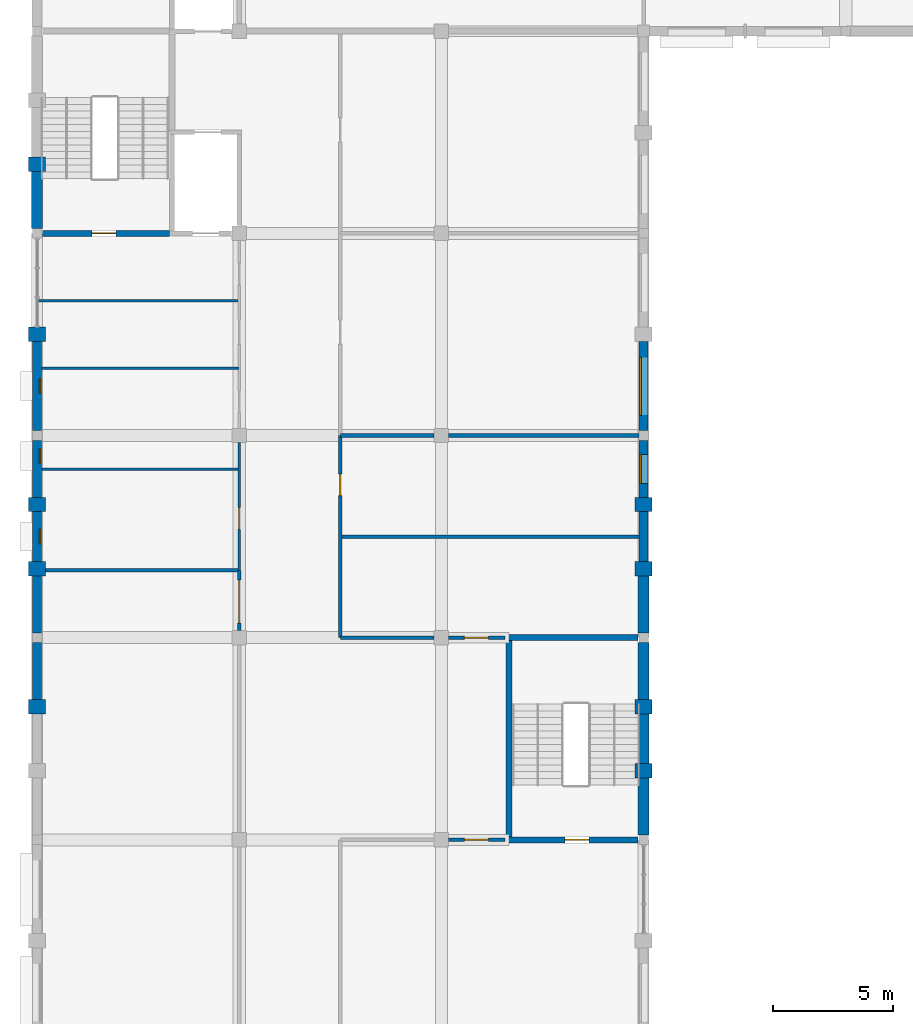
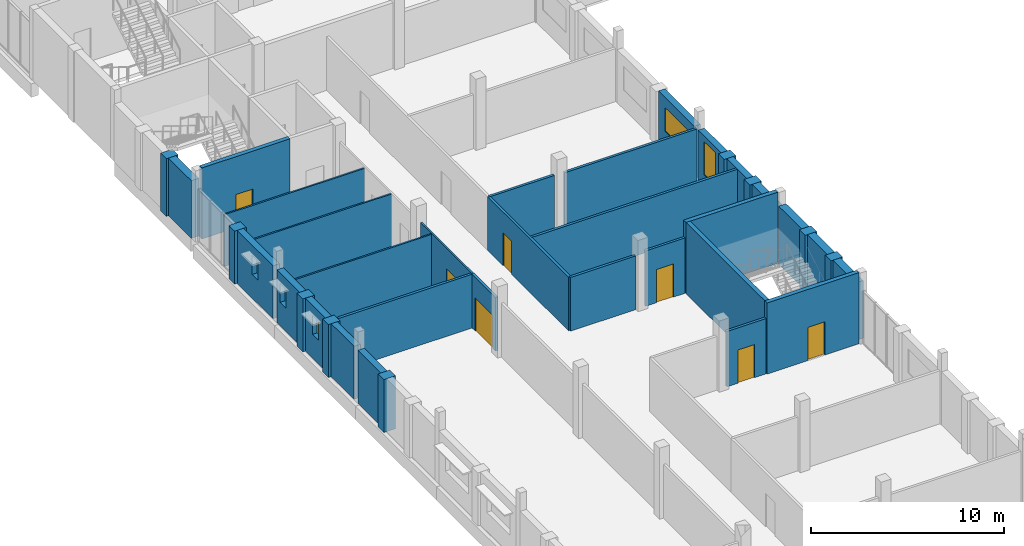
# One storey, part 95 of 116: 39 walls, 7 doors, 5 windows, 12 openings.
"""IFC4 building model written with IfcOpenShell, lengths in metres."""

from ifc_helpers import new_model, si_unit, direction, frame, frame_2d, origin, place, context, subcontext, project, spatial, rectangle, extrude, material, layer, layer_set, type_object, element, fill, save


model = new_model("IFC4")

# Units and contexts
model_context = context("Model", 3, precision=1e-05, world=origin(), true_north=direction((0.0, 1.0)))
body_context = subcontext(model_context, "Body", "Model", "MODEL_VIEW")
ifc_project = project(units=[si_unit("LENGTHUNIT", "METRE"), si_unit("AREAUNIT", "SQUARE_METRE"), si_unit("VOLUMEUNIT", "CUBIC_METRE"), si_unit("PLANEANGLEUNIT", "RADIAN"), si_unit("MASSUNIT", "GRAM", prefix="KILO")], contexts=[model_context])

# Site, building, storey
site_placement = place(None, origin())
site = spatial("IfcSite", under=ifc_project, at=site_placement, CompositionType="ELEMENT")
building_placement = place(site_placement, origin())
building = spatial("IfcBuilding", under=site, at=building_placement, Name="Fescue Hill Polytechnic", CompositionType="ELEMENT")
storey_placement = place(building_placement, frame((0.0, 0.0, 13.5)))
storey = spatial("IfcBuildingStorey", under=building, at=storey_placement, Name="L03", CompositionType="ELEMENT", Elevation=13.5)

# Wall, opening, door
ifc_material_1 = material(Name="Concrete 40 MPa", Category="concrete")
ifc_layer_1 = layer(ifc_material_1, 0.25)
ifc_layer_set_1 = layer_set([ifc_layer_1], Name="Concrete 40 MPa")
wall_type_1 = type_object("IfcWallType", Name="Core wall 250", PredefinedType="SHEAR", material=ifc_layer_set_1)
wall_1_placement = place(storey_placement, frame((0.22509765625, 100.800048828125, 0.0), z_axis=(0.0, 0.0, 1.0), x_axis=(1.0, 0.0, 0.0)))
wall_1 = element("IfcWall", 1, at=wall_1_placement, inside=storey, type_object=wall_type_1, Name="CW-L03-ST-V4-2-11", PredefinedType="SHEAR", context=body_context, shape_type="SweptSolid", body=[
    extrude(rectangle(XDim=5.27490234375, YDim=0.25, at=frame_2d((2.637451171875, 0.0))), origin(), (0.0, 0.0, 1.0), 4.5),
])
opening_1_placement = place(wall_1_placement, frame((2.050048828125, 0.0, 0.0)))
opening_1 = element("IfcOpeningElement", 2, at=opening_1_placement, cuts=wall_1, Name="Opening D3039", PredefinedType="OPENING", context=body_context, shape_type="SweptSolid", body=[
    extrude(rectangle(XDim=1.0, YDim=2.10009765625, at=frame_2d((0.5, 1.050048828125))), frame((0.0, 0.135009765625, 0.0), z_axis=(0.0, -1.0, 0.0), x_axis=(1.0, 0.0, 0.0)), (0.0, 0.0, 1.0), 0.27001953125),
])
ifc_material_2 = material(Name="Steel fire door", Category="steel")
door_type_1 = type_object("IfcDoorType", Name="Door single swing 1000x2100 stair fire rated", OperationType="NOTDEFINED", PredefinedType="DOOR", material=ifc_material_2)
door_1_placement = place(opening_1_placement, origin())
door_1 = element("IfcDoor", 3, at=door_1_placement, inside=storey, type_object=door_type_1, Name="L03 ST-V4-2 stair door", OperationType="SINGLE_SWING_LEFT", OverallHeight=2.10009765625, OverallWidth=1.0, PredefinedType="DOOR", context=body_context, shape_type="SweptSolid", body=[
    extrude(rectangle(XDim=1.0, YDim=2.10009765625, at=frame_2d((0.5, 1.050048828125))), frame((0.0, 0.02490234375, 0.0), z_axis=(0.0, -1.0, 0.0), x_axis=(1.0, 0.0, 0.0)), (0.0, 0.0, 1.0), 0.050048828125),
])
fill(opening_1, door_1)

wall_2_placement = place(storey_placement, frame((19.47509765625, 75.60009765625, 0.0), z_axis=(0.0, 0.0, 1.0), x_axis=(1.0, 0.0, 0.0)))
wall_2 = element("IfcWall", 4, at=wall_2_placement, inside=storey, type_object=wall_type_1, Name="CW-L03-ST-V4-3-11", PredefinedType="SHEAR", context=body_context, shape_type="SweptSolid", body=[
    extrude(rectangle(XDim=5.5, YDim=0.25, at=frame_2d((2.75, 0.0))), origin(), (0.0, 0.0, 1.0), 4.5),
])
opening_2_placement = place(wall_2_placement, frame((2.449951171875, 0.0, 0.0)))
opening_2 = element("IfcOpeningElement", 5, at=opening_2_placement, cuts=wall_2, Name="Opening D3040", PredefinedType="OPENING", context=body_context, shape_type="SweptSolid", body=[
    extrude(rectangle(XDim=1.0, YDim=2.10009765625, at=frame_2d((0.5, 1.050048828125))), frame((0.0, 0.135009765625, 0.0), z_axis=(0.0, -1.0, 0.0), x_axis=(1.0, 0.0, 0.0)), (0.0, 0.0, 1.0), 0.27001953125),
])
door_2_placement = place(opening_2_placement, origin())
door_2 = element("IfcDoor", 6, at=door_2_placement, inside=storey, type_object=door_type_1, Name="L03 ST-V4-3 stair door", OperationType="SINGLE_SWING_RIGHT", OverallHeight=2.10009765625, OverallWidth=1.0, PredefinedType="DOOR", context=body_context, shape_type="SweptSolid", body=[
    extrude(rectangle(XDim=1.0, YDim=2.10009765625, at=frame_2d((0.5, 1.050048828125))), frame((0.0, 0.02490234375, 0.0), z_axis=(0.0, -1.0, 0.0), x_axis=(1.0, 0.0, 0.0)), (0.0, 0.0, 1.0), 0.050048828125),
])
fill(opening_2, door_2)

# Walls
wall_3_placement = place(storey_placement, frame((19.47509765625, 84.0, 0.0), z_axis=(0.0, 0.0, 1.0), x_axis=(1.0, 0.0, 0.0)))
element("IfcWall", 7, at=wall_3_placement, inside=storey, type_object=wall_type_1, Name="CW-L03-ST-V4-3-21", PredefinedType="SHEAR", context=body_context, shape_type="SweptSolid", body=[
    extrude(rectangle(XDim=5.5, YDim=0.25, at=frame_2d((2.75, 0.0))), origin(), (0.0, 0.0, 1.0), 4.5),
])
wall_4_placement = place(storey_placement, frame((19.60009765625, 75.72509765625, 0.0), z_axis=(0.0, 0.0, 1.0), x_axis=(0.0, 1.0, 0.0)))
element("IfcWall", 8, at=wall_4_placement, inside=storey, type_object=wall_type_1, Name="CW-L03-ST-V4-3-31", PredefinedType="SHEAR", context=body_context, shape_type="SweptSolid", body=[
    extrude(rectangle(XDim=8.14990234375, YDim=0.25, at=frame_2d((4.074951171875, 0.0))), origin(), (0.0, 0.0, 1.0), 4.5),
])

# Wall, opening, door
ifc_material_3 = material(Name="Gypsum board partition")
ifc_layer_2 = layer(ifc_material_3, 0.14990234375)
ifc_layer_set_2 = layer_set([ifc_layer_2], Name="Gypsum board partition")
wall_type_2 = type_object("IfcWallType", Name="Corridor wall 150 EI 45", PredefinedType="PARTITIONING", material=ifc_layer_set_2)
wall_5_placement = place(storey_placement, frame((12.60009765625, 84.0, 0.0), z_axis=(0.0, 0.0, 1.0), x_axis=(0.0, 1.0, 0.0)))
wall_5 = element("IfcWall", 9, at=wall_5_placement, inside=storey, type_object=wall_type_2, Name="IW-L03-046", PredefinedType="PARTITIONING", context=body_context, shape_type="SweptSolid", body=[
    extrude(rectangle(XDim=8.39990234375, YDim=0.14990234375, at=frame_2d((4.199951171875, 0.0))), origin(), (0.0, 0.0, 1.0), 3.39990234375),
])
opening_3_placement = place(wall_5_placement, frame((5.89990234375, 0.0, 0.0)))
opening_3 = element("IfcOpeningElement", 10, at=opening_3_placement, cuts=wall_5, Name="Opening D3013", PredefinedType="OPENING", context=body_context, shape_type="SweptSolid", body=[
    extrude(rectangle(XDim=0.89990234375, YDim=2.10009765625, at=frame_2d((0.449951171875, 1.050048828125))), frame((0.0, 0.0849609375, 0.0), z_axis=(0.0, -1.0, 0.0), x_axis=(1.0, 0.0, 0.0)), (0.0, 0.0, 1.0), 0.169921875),
])
ifc_material_4 = material(Name="Timber", Category="wood")
door_type_2 = type_object("IfcDoorType", Name="Door single swing 900x2100 FD30S", OperationType="SINGLE_SWING_LEFT", PredefinedType="DOOR", material=ifc_material_4)
door_3_placement = place(opening_3_placement, origin())
door_3 = element("IfcDoor", 11, at=door_3_placement, inside=storey, type_object=door_type_2, Name="Door D3013", OperationType="SINGLE_SWING_RIGHT", OverallHeight=2.10009765625, OverallWidth=0.89990234375, PredefinedType="DOOR", context=body_context, shape_type="SweptSolid", body=[
    extrude(rectangle(XDim=0.89990234375, YDim=2.10009765625, at=frame_2d((0.449951171875, 1.050048828125))), frame((0.0, 0.02490234375, 0.0), z_axis=(0.0, -1.0, 0.0), x_axis=(1.0, 0.0, 0.0)), (0.0, 0.0, 1.0), 0.050048828125),
])
fill(opening_3, door_3)

# Walls
ifc_layer_3 = layer(ifc_material_1, 0.449951171875)
ifc_layer_set_3 = layer_set([ifc_layer_3], Name="Concrete 40 MPa")
wall_type_3 = type_object("IfcWallType", Name="Exterior wall board-marked concrete 450", PredefinedType="SOLIDWALL", material=ifc_layer_set_3)
wall_6_placement = place(storey_placement, frame((25.199951171875, 84.199951171875, 0.0), z_axis=(0.0, 0.0, 1.0), x_axis=(0.0, 1.0, 0.0)))
element("IfcWall", 12, at=wall_6_placement, inside=storey, type_object=wall_type_3, Name="EW-L03-V4-11", PredefinedType="SOLIDWALL", context=body_context, shape_type="SweptSolid", body=[
    extrude(rectangle(XDim=2.36669921875, YDim=0.449951171875, at=frame_2d((1.183349609375, 0.0))), origin(), (0.0, 0.0, 1.0), 3.35009765625),
])
ifc_layer_4 = layer(ifc_material_1, 0.449951171875)
ifc_layer_set_4 = layer_set([ifc_layer_4], Name="Concrete 40 MPa")
wall_type_4 = type_object("IfcWallType", Name="Exterior wall board-marked concrete 450 load-bearing", PredefinedType="SOLIDWALL", material=ifc_layer_set_4)
wall_7_placement = place(storey_placement, frame((25.199951171875, 75.800048828125, 0.0), z_axis=(0.0, 0.0, 1.0), x_axis=(0.0, 1.0, 0.0)))
element("IfcWall", 13, at=wall_7_placement, inside=storey, type_object=wall_type_4, Name="EW-L03-V4-8", PredefinedType="SOLIDWALL", context=body_context, shape_type="SweptSolid", body=[
    extrude(rectangle(XDim=2.36669921875, YDim=0.449951171875, at=frame_2d((1.183349609375, 0.0))), origin(), (0.0, 0.0, 1.0), 3.64990234375),
])
wall_8_placement = place(storey_placement, frame((25.199951171875, 78.7666015625, 0.0), z_axis=(0.0, 0.0, 1.0), x_axis=(0.0, 1.0, 0.0)))
element("IfcWall", 14, at=wall_8_placement, inside=storey, type_object=wall_type_4, Name="EW-L03-V4-9", PredefinedType="SOLIDWALL", context=body_context, shape_type="SweptSolid", body=[
    extrude(rectangle(XDim=2.066650390625, YDim=0.449951171875, at=frame_2d((1.033203125, 0.0))), origin(), (0.0, 0.0, 1.0), 3.64990234375),
])
for number, where, z_axis, x_axis, name in (
    (15, (25.199951171875, 81.433349609375, 0.0), (0.0, 0.0, 1.0), (0.0, 1.0, 0.0), "EW-L03-V4-10"),
    (16, (0.0, 103.36669921875, 0.0), (0.0, 0.0, 1.0), (0.0, -1.0, 0.0), "EW-L03-V4-20"),
):
    element("IfcWall", number, at=place(storey_placement, frame(where, z_axis=z_axis, x_axis=x_axis)), inside=storey, type_object=wall_type_4, Name=name, PredefinedType="SOLIDWALL", context=body_context, shape_type="SweptSolid", body=[
        extrude(rectangle(XDim=2.36669921875, YDim=0.449951171875, at=frame_2d((1.183349609375, 0.0))), origin(), (0.0, 0.0, 1.0), 3.64990234375),
    ])
ifc_material_5 = material(Name="Terracotta rainscreen on concrete block", Category="masonry")
ifc_layer_5 = layer(ifc_material_5, 0.3798828125)
ifc_layer_set_5 = layer_set([ifc_layer_5], Name="Terracotta rainscreen on concrete block")
wall_type_5 = type_object("IfcWallType", Name="Exterior wall rainscreen terracotta on blockwork 380", PredefinedType="SOLIDWALL", material=ifc_layer_set_5)
wall_9_placement = place(storey_placement, frame((25.199951171875, 87.166748046875, 0.0), z_axis=(0.0, 0.0, 1.0), x_axis=(0.0, 1.0, 0.0)))
element("IfcWall", 17, at=wall_9_placement, inside=storey, type_object=wall_type_5, Name="EW-L03-V4-12", PredefinedType="SOLIDWALL", context=body_context, shape_type="SweptSolid", body=[
    extrude(rectangle(XDim=2.066650390625, YDim=0.3798828125, at=frame_2d((1.033203125, 0.0))), origin(), (0.0, 0.0, 1.0), 3.35009765625),
])

# Wall, opening, window
wall_10_placement = place(storey_placement, frame((25.199951171875, 89.833251953125, 0.0), z_axis=(0.0, 0.0, 1.0), x_axis=(0.0, 1.0, 0.0)))
wall_10 = element("IfcWall", 18, at=wall_10_placement, inside=storey, type_object=wall_type_5, Name="EW-L03-V4-13", PredefinedType="SOLIDWALL", context=body_context, shape_type="SweptSolid", body=[
    extrude(rectangle(XDim=2.36669921875, YDim=0.3798828125, at=frame_2d((1.183349609375, 0.0))), origin(), (0.0, 0.0, 1.0), 3.35009765625),
])
opening_4_placement = place(wall_10_placement, frame((0.583251953125, 0.0, 0.89990234375)))
opening_4 = element("IfcOpeningElement", 19, at=opening_4_placement, cuts=wall_10, Name="Opening W13", PredefinedType="OPENING", context=body_context, shape_type="SweptSolid", body=[
    extrude(rectangle(XDim=1.199951171875, YDim=2.10009765625, at=frame_2d((0.60009765625, 1.050048828125))), frame((0.0, 0.199951171875, 0.0), z_axis=(0.0, -1.0, 0.0), x_axis=(1.0, 0.0, 0.0)), (0.0, 0.0, 1.0), 0.39990234375),
])
ifc_material_6 = material(Name="Powder-coated aluminium and glass", Category="aluminium")
window_type_1 = type_object("IfcWindowType", Name="Window cellular office 1200x2100", PartitioningType="SINGLE_PANEL", PredefinedType="WINDOW", material=ifc_material_6)
window_1_placement = place(opening_4_placement, origin())
window_1 = element("IfcWindow", 20, at=window_1_placement, inside=storey, type_object=window_type_1, Name="WN-L03-V4-4", OverallHeight=2.10009765625, OverallWidth=1.199951171875, PartitioningType="SINGLE_PANEL", PredefinedType="WINDOW", context=body_context, shape_type="SweptSolid", body=[
    extrude(rectangle(XDim=1.199951171875, YDim=2.10009765625, at=frame_2d((0.60009765625, 1.050048828125))), frame((0.0, 0.150146484375, 0.0), z_axis=(0.0, -1.0, 0.0), x_axis=(1.0, 0.0, 0.0)), (0.0, 0.0, 1.0), 0.06005859375),
])
fill(opening_4, window_1)

wall_11_placement = place(storey_placement, frame((25.199951171875, 92.60009765625, 0.0), z_axis=(0.0, 0.0, 1.0), x_axis=(0.0, 1.0, 0.0)))
wall_11 = element("IfcWall", 21, at=wall_11_placement, inside=storey, type_object=wall_type_5, Name="EW-L03-V4-14", PredefinedType="SOLIDWALL", context=body_context, shape_type="SweptSolid", body=[
    extrude(rectangle(XDim=3.699951171875, YDim=0.3798828125, at=frame_2d((1.85009765625, 0.0))), origin(), (0.0, 0.0, 1.0), 3.35009765625),
])
opening_5_placement = place(wall_11_placement, frame((0.64990234375, 0.0, 1.199951171875)))
opening_5 = element("IfcOpeningElement", 22, at=opening_5_placement, cuts=wall_11, Name="Opening W3", PredefinedType="OPENING", context=body_context, shape_type="SweptSolid", body=[
    extrude(rectangle(XDim=2.39990234375, YDim=1.5, at=frame_2d((1.199951171875, 0.75))), frame((0.0, 0.199951171875, 0.0), z_axis=(0.0, -1.0, 0.0), x_axis=(1.0, 0.0, 0.0)), (0.0, 0.0, 1.0), 0.39990234375),
])
window_type_2 = type_object("IfcWindowType", Name="Window laboratory strip 2400x1500", PartitioningType="TRIPLE_PANEL_VERTICAL", PredefinedType="WINDOW", material=ifc_material_6)
window_2_placement = place(opening_5_placement, origin())
window_2 = element("IfcWindow", 23, at=window_2_placement, inside=storey, type_object=window_type_2, Name="WN-L03-V4-5", OverallHeight=1.5, OverallWidth=2.39990234375, PartitioningType="SINGLE_PANEL", PredefinedType="WINDOW", context=body_context, shape_type="SweptSolid", body=[
    extrude(rectangle(XDim=2.39990234375, YDim=1.5, at=frame_2d((1.199951171875, 0.75))), frame((0.0, 0.150146484375, 0.0), z_axis=(0.0, -1.0, 0.0), x_axis=(1.0, 0.0, 0.0)), (0.0, 0.0, 1.0), 0.06005859375),
])
fill(opening_5, window_2)

wall_12_placement = place(storey_placement, frame((0.0, 96.300048828125, 0.0), z_axis=(0.0, 0.0, 1.0), x_axis=(0.0, -1.0, 0.0)))
wall_12 = element("IfcWall", 24, at=wall_12_placement, inside=storey, type_object=wall_type_5, Name="EW-L03-V4-22", PredefinedType="SOLIDWALL", context=body_context, shape_type="SweptSolid", body=[
    extrude(rectangle(XDim=3.699951171875, YDim=0.3798828125, at=frame_2d((1.85009765625, 0.0))), origin(), (0.0, 0.0, 1.0), 3.35009765625),
])
opening_6_placement = place(wall_12_placement, frame((1.550048828125, 0.0, 1.5)))
opening_6 = element("IfcOpeningElement", 25, at=opening_6_placement, cuts=wall_12, Name="Opening W11", PredefinedType="OPENING", context=body_context, shape_type="SweptSolid", body=[
    extrude(rectangle(XDim=0.60009765625, YDim=1.199951171875, at=frame_2d((0.300048828125, 0.60009765625))), frame((0.0, 0.199951171875, 0.0), z_axis=(0.0, -1.0, 0.0), x_axis=(1.0, 0.0, 0.0)), (0.0, 0.0, 1.0), 0.39990234375),
])
window_type_3 = type_object("IfcWindowType", Name="Window WC high-level 600x1200", PartitioningType="SINGLE_PANEL", PredefinedType="WINDOW", material=ifc_material_6)
window_3_placement = place(opening_6_placement, origin())
window_3 = element("IfcWindow", 26, at=window_3_placement, inside=storey, type_object=window_type_3, Name="WN-L03-V4-9", OverallHeight=1.199951171875, OverallWidth=0.60009765625, PartitioningType="SINGLE_PANEL", PredefinedType="WINDOW", context=body_context, shape_type="SweptSolid", body=[
    extrude(rectangle(XDim=0.60009765625, YDim=1.199951171875, at=frame_2d((0.300048828125, 0.60009765625))), frame((0.0, 0.150146484375, 0.0), z_axis=(0.0, -1.0, 0.0), x_axis=(1.0, 0.0, 0.0)), (0.0, 0.0, 1.0), 0.06005859375),
])
fill(opening_6, window_3)

wall_13_placement = place(storey_placement, frame((0.0, 92.199951171875, 0.0), z_axis=(0.0, 0.0, 1.0), x_axis=(0.0, -1.0, 0.0)))
wall_13 = element("IfcWall", 27, at=wall_13_placement, inside=storey, type_object=wall_type_5, Name="EW-L03-V4-23", PredefinedType="SOLIDWALL", context=body_context, shape_type="SweptSolid", body=[
    extrude(rectangle(XDim=2.36669921875, YDim=0.3798828125, at=frame_2d((1.183349609375, 0.0))), origin(), (0.0, 0.0, 1.0), 3.35009765625),
])
opening_7_placement = place(wall_13_placement, frame((0.35009765625, 0.0, 1.5)))
opening_7 = element("IfcOpeningElement", 28, at=opening_7_placement, cuts=wall_13, Name="Opening W11", PredefinedType="OPENING", context=body_context, shape_type="SweptSolid", body=[
    extrude(rectangle(XDim=0.60009765625, YDim=1.199951171875, at=frame_2d((0.300048828125, 0.60009765625))), frame((0.0, 0.199951171875, 0.0), z_axis=(0.0, -1.0, 0.0), x_axis=(1.0, 0.0, 0.0)), (0.0, 0.0, 1.0), 0.39990234375),
])
window_4_placement = place(opening_7_placement, origin())
window_4 = element("IfcWindow", 29, at=window_4_placement, inside=storey, type_object=window_type_3, Name="WN-L03-V4-10", OverallHeight=1.199951171875, OverallWidth=0.60009765625, PartitioningType="SINGLE_PANEL", PredefinedType="WINDOW", context=body_context, shape_type="SweptSolid", body=[
    extrude(rectangle(XDim=0.60009765625, YDim=1.199951171875, at=frame_2d((0.300048828125, 0.60009765625))), frame((0.0, 0.150146484375, 0.0), z_axis=(0.0, -1.0, 0.0), x_axis=(1.0, 0.0, 0.0)), (0.0, 0.0, 1.0), 0.06005859375),
])
fill(opening_7, window_4)

wall_14_placement = place(storey_placement, frame((0.0, 89.2333984375, 0.0), z_axis=(0.0, 0.0, 1.0), x_axis=(0.0, -1.0, 0.0)))
wall_14 = element("IfcWall", 30, at=wall_14_placement, inside=storey, type_object=wall_type_5, Name="EW-L03-V4-24", PredefinedType="SOLIDWALL", context=body_context, shape_type="SweptSolid", body=[
    extrude(rectangle(XDim=2.066650390625, YDim=0.3798828125, at=frame_2d((1.033203125, 0.0))), origin(), (0.0, 0.0, 1.0), 3.35009765625),
])
opening_8_placement = place(wall_14_placement, frame((0.7333984375, 0.0, 1.5)))
opening_8 = element("IfcOpeningElement", 31, at=opening_8_placement, cuts=wall_14, Name="Opening W11", PredefinedType="OPENING", context=body_context, shape_type="SweptSolid", body=[
    extrude(rectangle(XDim=0.60009765625, YDim=1.199951171875, at=frame_2d((0.300048828125, 0.60009765625))), frame((0.0, 0.199951171875, 0.0), z_axis=(0.0, -1.0, 0.0), x_axis=(1.0, 0.0, 0.0)), (0.0, 0.0, 1.0), 0.39990234375),
])
window_5_placement = place(opening_8_placement, origin())
window_5 = element("IfcWindow", 32, at=window_5_placement, inside=storey, type_object=window_type_3, Name="WN-L03-V4-11", OverallHeight=1.199951171875, OverallWidth=0.60009765625, PartitioningType="SINGLE_PANEL", PredefinedType="WINDOW", context=body_context, shape_type="SweptSolid", body=[
    extrude(rectangle(XDim=0.60009765625, YDim=1.199951171875, at=frame_2d((0.300048828125, 0.60009765625))), frame((0.0, 0.150146484375, 0.0), z_axis=(0.0, -1.0, 0.0), x_axis=(1.0, 0.0, 0.0)), (0.0, 0.0, 1.0), 0.06005859375),
])
fill(opening_8, window_5)

# Walls
for number, where, z_axis, x_axis, name in (
    (33, (0.0, 86.566650390625, 0.0), (0.0, 0.0, 1.0), (0.0, -1.0, 0.0), "EW-L03-V4-25"),
    (34, (0.0, 83.800048828125, 0.0), (0.0, 0.0, 1.0), (0.0, -1.0, 0.0), "EW-L03-V4-26"),
):
    element("IfcWall", number, at=place(storey_placement, frame(where, z_axis=z_axis, x_axis=x_axis)), inside=storey, type_object=wall_type_5, Name=name, PredefinedType="SOLIDWALL", context=body_context, shape_type="SweptSolid", body=[
        extrude(rectangle(XDim=2.36669921875, YDim=0.3798828125, at=frame_2d((1.183349609375, 0.0))), origin(), (0.0, 0.0, 1.0), 3.35009765625),
    ])
ifc_layer_6 = layer(ifc_material_1, 0.699951171875)
ifc_layer_set_6 = layer_set([ifc_layer_6], Name="Concrete 40 MPa")
wall_type_6 = type_object("IfcWallType", Name="Fin wall board-marked 600x700", PredefinedType="SOLIDWALL", material=ifc_layer_set_6)
wall_15_placement = place(storey_placement, frame((25.199951171875, 78.166748046875, 0.0), z_axis=(0.0, 0.0, 1.0), x_axis=(0.0, 1.0, 0.0)))
element("IfcWall", 35, at=wall_15_placement, inside=storey, type_object=wall_type_6, Name="PR-L03-V4-5", PredefinedType="SOLIDWALL", context=body_context, shape_type="SweptSolid", body=[
    extrude(rectangle(XDim=0.599853515625, YDim=0.699951171875, at=frame_2d((0.2998046875, 0.0))), origin(), (0.0, 0.0, 1.0), 3.64990234375),
])
wall_16_placement = place(storey_placement, frame((25.199951171875, 80.833251953125, 0.0), z_axis=(0.0, 0.0, 1.0), x_axis=(0.0, 1.0, 0.0)))
element("IfcWall", 36, at=wall_16_placement, inside=storey, type_object=wall_type_6, Name="PR-L03-V4-6", PredefinedType="SOLIDWALL", context=body_context, shape_type="SweptSolid", body=[
    extrude(rectangle(XDim=0.60009765625, YDim=0.699951171875, at=frame_2d((0.300048828125, 0.0))), origin(), (0.0, 0.0, 1.0), 3.64990234375),
])
wall_17_placement = place(storey_placement, frame((25.199951171875, 86.566650390625, 0.0), z_axis=(0.0, 0.0, 1.0), x_axis=(0.0, 1.0, 0.0)))
element("IfcWall", 37, at=wall_17_placement, inside=storey, type_object=wall_type_6, Name="PR-L03-V4-7", PredefinedType="SOLIDWALL", context=body_context, shape_type="SweptSolid", body=[
    extrude(rectangle(XDim=0.60009765625, YDim=0.699951171875, at=frame_2d((0.300048828125, 0.0))), origin(), (0.0, 0.0, 1.0), 3.35009765625),
])
wall_18_placement = place(storey_placement, frame((25.199951171875, 89.2333984375, 0.0), z_axis=(0.0, 0.0, 1.0), x_axis=(0.0, 1.0, 0.0)))
element("IfcWall", 38, at=wall_18_placement, inside=storey, type_object=wall_type_6, Name="PR-L03-V4-8", PredefinedType="SOLIDWALL", context=body_context, shape_type="SweptSolid", body=[
    extrude(rectangle(XDim=0.599853515625, YDim=0.699951171875, at=frame_2d((0.2998046875, 0.0))), origin(), (0.0, 0.0, 1.0), 3.35009765625),
])
wall_19_placement = place(storey_placement, frame((0.0, 103.966796875, 0.0), z_axis=(0.0, 0.0, 1.0), x_axis=(0.0, -1.0, 0.0)))
element("IfcWall", 39, at=wall_19_placement, inside=storey, type_object=wall_type_6, Name="PR-L03-V4-12", PredefinedType="SOLIDWALL", context=body_context, shape_type="SweptSolid", body=[
    extrude(rectangle(XDim=0.60009765625, YDim=0.699951171875, at=frame_2d((0.300048828125, 0.0))), origin(), (0.0, 0.0, 1.0), 3.64990234375),
])
for number, where, z_axis, x_axis, name in (
    (40, (0.0, 96.89990234375, 0.0), (0.0, 0.0, 1.0), (0.0, -1.0, 0.0), "PR-L03-V4-13"),
    (41, (0.0, 89.833251953125, 0.0), (0.0, 0.0, 1.0), (0.0, -1.0, 0.0), "PR-L03-V4-14"),
):
    element("IfcWall", number, at=place(storey_placement, frame(where, z_axis=z_axis, x_axis=x_axis)), inside=storey, type_object=wall_type_6, Name=name, PredefinedType="SOLIDWALL", context=body_context, shape_type="SweptSolid", body=[
        extrude(rectangle(XDim=0.599853515625, YDim=0.699951171875, at=frame_2d((0.2998046875, 0.0))), origin(), (0.0, 0.0, 1.0), 3.35009765625),
    ])
for number, where, z_axis, x_axis, name in (
    (42, (0.0, 87.166748046875, 0.0), (0.0, 0.0, 1.0), (0.0, -1.0, 0.0), "PR-L03-V4-15"),
    (43, (0.0, 81.433349609375, 0.0), (0.0, 0.0, 1.0), (0.0, -1.0, 0.0), "PR-L03-V4-16"),
):
    element("IfcWall", number, at=place(storey_placement, frame(where, z_axis=z_axis, x_axis=x_axis)), inside=storey, type_object=wall_type_6, Name=name, PredefinedType="SOLIDWALL", context=body_context, shape_type="SweptSolid", body=[
        extrude(rectangle(XDim=0.60009765625, YDim=0.699951171875, at=frame_2d((0.300048828125, 0.0))), origin(), (0.0, 0.0, 1.0), 3.35009765625),
    ])
ifc_material_7 = material(Name="Concrete masonry block 15 MPa", Category="masonry")
ifc_layer_7 = layer(ifc_material_7, 0.14990234375)
ifc_layer_set_7 = layer_set([ifc_layer_7], Name="Concrete masonry block 15 MPa")
wall_type_7 = type_object("IfcWallType", Name="Laboratory wall 150 block EI 60", PredefinedType="PARTITIONING", material=ifc_layer_set_7)
wall_20_placement = place(storey_placement, frame((0.35009765625, 86.800048828125, 0.0), z_axis=(0.0, 0.0, 1.0), x_axis=(1.0, 0.0, 0.0)))
element("IfcWall", 44, at=wall_20_placement, inside=storey, type_object=wall_type_7, Name="IW-L03-010", PredefinedType="PARTITIONING", context=body_context, shape_type="SweptSolid", body=[
    extrude(rectangle(XDim=8.0498046875, YDim=0.14990234375, at=frame_2d((4.02490234375, 0.0))), origin(), (0.0, 0.0, 1.0), 3.39990234375),
])
wall_21_placement = place(storey_placement, frame((12.60009765625, 92.39990234375, 0.0), z_axis=(0.0, 0.0, 1.0), x_axis=(1.0, 0.0, 0.0)))
element("IfcWall", 45, at=wall_21_placement, inside=storey, type_object=wall_type_7, Name="IW-L03-013", PredefinedType="PARTITIONING", context=body_context, shape_type="SweptSolid", body=[
    extrude(rectangle(XDim=3.89990234375, YDim=0.14990234375, at=frame_2d((1.949951171875, 0.0))), origin(), (0.0, 0.0, 1.0), 3.39990234375),
])
wall_22_placement = place(storey_placement, frame((17.10009765625, 92.39990234375, 0.0), z_axis=(0.0, 0.0, 1.0), x_axis=(1.0, 0.0, 0.0)))
element("IfcWall", 46, at=wall_22_placement, inside=storey, type_object=wall_type_7, Name="IW-L03-014", PredefinedType="PARTITIONING", context=body_context, shape_type="SweptSolid", body=[
    extrude(rectangle(XDim=7.89990234375, YDim=0.14990234375, at=frame_2d((3.949951171875, 0.0))), origin(), (0.0, 0.0, 1.0), 3.35009765625),
])

# Wall, opening, door
wall_23_placement = place(storey_placement, frame((8.39990234375, 84.300048828125, 0.0), z_axis=(0.0, 0.0, 1.0), x_axis=(0.0, 1.0, 0.0)))
wall_23 = element("IfcWall", 47, at=wall_23_placement, inside=storey, type_object=wall_type_7, Name="IW-L03-040", PredefinedType="PARTITIONING", context=body_context, shape_type="SweptSolid", body=[
    extrude(rectangle(XDim=2.5, YDim=0.14990234375, at=frame_2d((1.25, 0.0))), origin(), (0.0, 0.0, 1.0), 3.39990234375),
])
opening_9_placement = place(wall_23_placement, frame((0.300048828125, 0.0, 0.0)))
opening_9 = element("IfcOpeningElement", 48, at=opening_9_placement, cuts=wall_23, Name="Opening D3004", PredefinedType="OPENING", context=body_context, shape_type="SweptSolid", body=[
    extrude(rectangle(XDim=1.800048828125, YDim=2.10009765625, at=frame_2d((0.89990234375, 1.050048828125))), frame((0.0, 0.0849609375, 0.0), z_axis=(0.0, -1.0, 0.0), x_axis=(1.0, 0.0, 0.0)), (0.0, 0.0, 1.0), 0.169921875),
])
ifc_material_8 = material(Name="Steel", Category="steel")
door_type_3 = type_object("IfcDoorType", Name="Door double swing 1800x2100 FD60", OperationType="DOUBLE_DOOR_SINGLE_SWING", PredefinedType="DOOR", material=ifc_material_8)
door_4_placement = place(opening_9_placement, origin())
door_4 = element("IfcDoor", 49, at=door_4_placement, inside=storey, type_object=door_type_3, Name="Door D3004", OperationType="DOUBLE_DOOR_SINGLE_SWING", OverallHeight=2.10009765625, OverallWidth=1.800048828125, PredefinedType="DOOR", context=body_context, shape_type="SweptSolid", body=[
    extrude(rectangle(XDim=1.800048828125, YDim=2.10009765625, at=frame_2d((0.89990234375, 1.050048828125))), frame((0.0, 0.02490234375, 0.0), z_axis=(0.0, -1.0, 0.0), x_axis=(1.0, 0.0, 0.0)), (0.0, 0.0, 1.0), 0.050048828125),
])
fill(opening_9, door_4)

ifc_layer_8 = layer(ifc_material_3, 0.14990234375)
ifc_layer_set_8 = layer_set([ifc_layer_8], Name="Gypsum board partition")
wall_type_8 = type_object("IfcWallType", Name="Lobby wall 150 EI 60", PredefinedType="PARTITIONING", material=ifc_layer_set_8)
wall_24_placement = place(storey_placement, frame((17.10009765625, 75.60009765625, 0.0), z_axis=(0.0, 0.0, 1.0), x_axis=(1.0, 0.0, 0.0)))
wall_24 = element("IfcWall", 50, at=wall_24_placement, inside=storey, type_object=wall_type_8, Name="IW-L03-007", PredefinedType="PARTITIONING", context=body_context, shape_type="SweptSolid", body=[
    extrude(rectangle(XDim=2.349853515625, YDim=0.14990234375, at=frame_2d((1.1748046875, 0.0))), origin(), (0.0, 0.0, 1.0), 3.5),
])
opening_10_placement = place(wall_24_placement, frame((0.64990234375, 0.0, 0.0)))
opening_10 = element("IfcOpeningElement", 51, at=opening_10_placement, cuts=wall_24, Name="Opening D3011", PredefinedType="OPENING", context=body_context, shape_type="SweptSolid", body=[
    extrude(rectangle(XDim=1.0, YDim=2.10009765625, at=frame_2d((0.5, 1.050048828125))), frame((0.0, 0.0849609375, 0.0), z_axis=(0.0, -1.0, 0.0), x_axis=(1.0, 0.0, 0.0)), (0.0, 0.0, 1.0), 0.169921875),
])
door_type_4 = type_object("IfcDoorType", Name="Door single swing 1000x2100 FD60", OperationType="SINGLE_SWING_LEFT", PredefinedType="DOOR", material=ifc_material_8)
door_5_placement = place(opening_10_placement, origin())
door_5 = element("IfcDoor", 52, at=door_5_placement, inside=storey, type_object=door_type_4, Name="Door D3011", OperationType="SINGLE_SWING_LEFT", OverallHeight=2.10009765625, OverallWidth=1.0, PredefinedType="DOOR", context=body_context, shape_type="SweptSolid", body=[
    extrude(rectangle(XDim=1.0, YDim=2.10009765625, at=frame_2d((0.5, 1.050048828125))), frame((0.0, 0.02490234375, 0.0), z_axis=(0.0, -1.0, 0.0), x_axis=(1.0, 0.0, 0.0)), (0.0, 0.0, 1.0), 0.050048828125),
])
fill(opening_10, door_5)

# Wall
wall_25_placement = place(storey_placement, frame((12.60009765625, 84.0, 0.0), z_axis=(0.0, 0.0, 1.0), x_axis=(1.0, 0.0, 0.0)))
element("IfcWall", 53, at=wall_25_placement, inside=storey, type_object=wall_type_8, Name="IW-L03-008", PredefinedType="PARTITIONING", context=body_context, shape_type="SweptSolid", body=[
    extrude(rectangle(XDim=3.89990234375, YDim=0.14990234375, at=frame_2d((1.949951171875, 0.0))), origin(), (0.0, 0.0, 1.0), 3.39990234375),
])

# Wall, opening, door
wall_26_placement = place(storey_placement, frame((17.10009765625, 84.0, 0.0), z_axis=(0.0, 0.0, 1.0), x_axis=(1.0, 0.0, 0.0)))
wall_26 = element("IfcWall", 54, at=wall_26_placement, inside=storey, type_object=wall_type_8, Name="IW-L03-009", PredefinedType="PARTITIONING", context=body_context, shape_type="SweptSolid", body=[
    extrude(rectangle(XDim=2.349853515625, YDim=0.14990234375, at=frame_2d((1.1748046875, 0.0))), origin(), (0.0, 0.0, 1.0), 3.5),
])
opening_11_placement = place(wall_26_placement, frame((0.64990234375, 0.0, 0.0)))
opening_11 = element("IfcOpeningElement", 55, at=opening_11_placement, cuts=wall_26, Name="Opening D3012", PredefinedType="OPENING", context=body_context, shape_type="SweptSolid", body=[
    extrude(rectangle(XDim=1.0, YDim=2.10009765625, at=frame_2d((0.5, 1.050048828125))), frame((0.0, 0.0849609375, 0.0), z_axis=(0.0, -1.0, 0.0), x_axis=(1.0, 0.0, 0.0)), (0.0, 0.0, 1.0), 0.169921875),
])
door_6_placement = place(opening_11_placement, origin())
door_6 = element("IfcDoor", 56, at=door_6_placement, inside=storey, type_object=door_type_4, Name="Door D3012", OperationType="SINGLE_SWING_LEFT", OverallHeight=2.10009765625, OverallWidth=1.0, PredefinedType="DOOR", context=body_context, shape_type="SweptSolid", body=[
    extrude(rectangle(XDim=1.0, YDim=2.10009765625, at=frame_2d((0.5, 1.050048828125))), frame((0.0, 0.02490234375, 0.0), z_axis=(0.0, -1.0, 0.0), x_axis=(1.0, 0.0, 0.0)), (0.0, 0.0, 1.0), 0.050048828125),
])
fill(opening_11, door_6)

# Walls
ifc_layer_9 = layer(ifc_material_3, 0.14990234375)
ifc_layer_set_9 = layer_set([ifc_layer_9], Name="Gypsum board partition")
wall_type_9 = type_object("IfcWallType", Name="Partition stud 150 acoustic", PredefinedType="PARTITIONING", material=ifc_layer_set_9)
wall_27_placement = place(storey_placement, frame((12.60009765625, 88.199951171875, 0.0), z_axis=(0.0, 0.0, 1.0), x_axis=(1.0, 0.0, 0.0)))
element("IfcWall", 57, at=wall_27_placement, inside=storey, type_object=wall_type_9, Name="IW-L03-011", PredefinedType="PARTITIONING", context=body_context, shape_type="SweptSolid", body=[
    extrude(rectangle(XDim=12.409912109375, YDim=0.14990234375, at=frame_2d((6.205078125, 0.0))), origin(), (0.0, 0.0, 1.0), 3.35009765625),
])
ifc_layer_10 = layer(ifc_material_3, 0.10009765625)
ifc_layer_set_10 = layer_set([ifc_layer_10], Name="Gypsum board partition")
wall_type_10 = type_object("IfcWallType", Name="WC partition 100 moisture resistant", PredefinedType="PARTITIONING", material=ifc_layer_set_10)
for number, where, z_axis, x_axis, name in (
    (58, (0.18994140625, 91.0, 0.0), (0.0, 0.0, 1.0), (1.0, 0.0, 0.0), "IW-L03-012"),
    (59, (0.18994140625, 95.199951171875, 0.0), (0.0, 0.0, 1.0), (1.0, 0.0, 0.0), "IW-L03-015"),
):
    element("IfcWall", number, at=place(storey_placement, frame(where, z_axis=z_axis, x_axis=x_axis)), inside=storey, type_object=wall_type_10, Name=name, PredefinedType="PARTITIONING", context=body_context, shape_type="SweptSolid", body=[
        extrude(rectangle(XDim=8.2099609375, YDim=0.10009765625, at=frame_2d((4.10498046875, 0.0))), origin(), (0.0, 0.0, 1.0), 3.35009765625),
    ])
wall_28_placement = place(storey_placement, frame((0.0, 98.0, 0.0), z_axis=(0.0, 0.0, 1.0), x_axis=(1.0, 0.0, 0.0)))
element("IfcWall", 60, at=wall_28_placement, inside=storey, type_object=wall_type_10, Name="IW-L03-017", PredefinedType="PARTITIONING", context=body_context, shape_type="SweptSolid", body=[
    extrude(rectangle(XDim=8.39990234375, YDim=0.10009765625, at=frame_2d((4.199951171875, 0.0))), origin(), (0.0, 0.0, 1.0), 3.27001953125),
])

# Wall, opening, door
wall_29_placement = place(storey_placement, frame((8.39990234375, 86.800048828125, 0.0), z_axis=(0.0, 0.0, 1.0), x_axis=(0.0, 1.0, 0.0)))
wall_29 = element("IfcWall", 61, at=wall_29_placement, inside=storey, type_object=wall_type_10, Name="IW-L03-043", PredefinedType="PARTITIONING", context=body_context, shape_type="SweptSolid", body=[
    extrude(rectangle(XDim=5.300048828125, YDim=0.10009765625, at=frame_2d((2.64990234375, 0.0))), origin(), (0.0, 0.0, 1.0), 3.39990234375),
])
opening_12_placement = place(wall_29_placement, frame((1.699951171875, 0.0, 0.0)))
opening_12 = element("IfcOpeningElement", 62, at=opening_12_placement, cuts=wall_29, Name="Opening D3005", PredefinedType="OPENING", context=body_context, shape_type="SweptSolid", body=[
    extrude(rectangle(XDim=0.89990234375, YDim=2.10009765625, at=frame_2d((0.449951171875, 1.050048828125))), frame((0.0, 0.06005859375, 0.0), z_axis=(0.0, -1.0, 0.0), x_axis=(1.0, 0.0, 0.0)), (0.0, 0.0, 1.0), 0.1201171875),
])
door_type_5 = type_object("IfcDoorType", Name="Door single swing 900x2100 WC", OperationType="SINGLE_SWING_LEFT", PredefinedType="DOOR", material=ifc_material_4)
door_7_placement = place(opening_12_placement, origin())
door_7 = element("IfcDoor", 63, at=door_7_placement, inside=storey, type_object=door_type_5, Name="Door D3005", OperationType="SINGLE_SWING_LEFT", OverallHeight=2.10009765625, OverallWidth=0.89990234375, PredefinedType="DOOR", context=body_context, shape_type="SweptSolid", body=[
    extrude(rectangle(XDim=0.89990234375, YDim=2.10009765625, at=frame_2d((0.449951171875, 1.050048828125))), frame((0.0, 0.02490234375, 0.0), z_axis=(0.0, -1.0, 0.0), x_axis=(1.0, 0.0, 0.0)), (0.0, 0.0, 1.0), 0.050048828125),
])
fill(opening_12, door_7)

save(model, "model.ifc")
